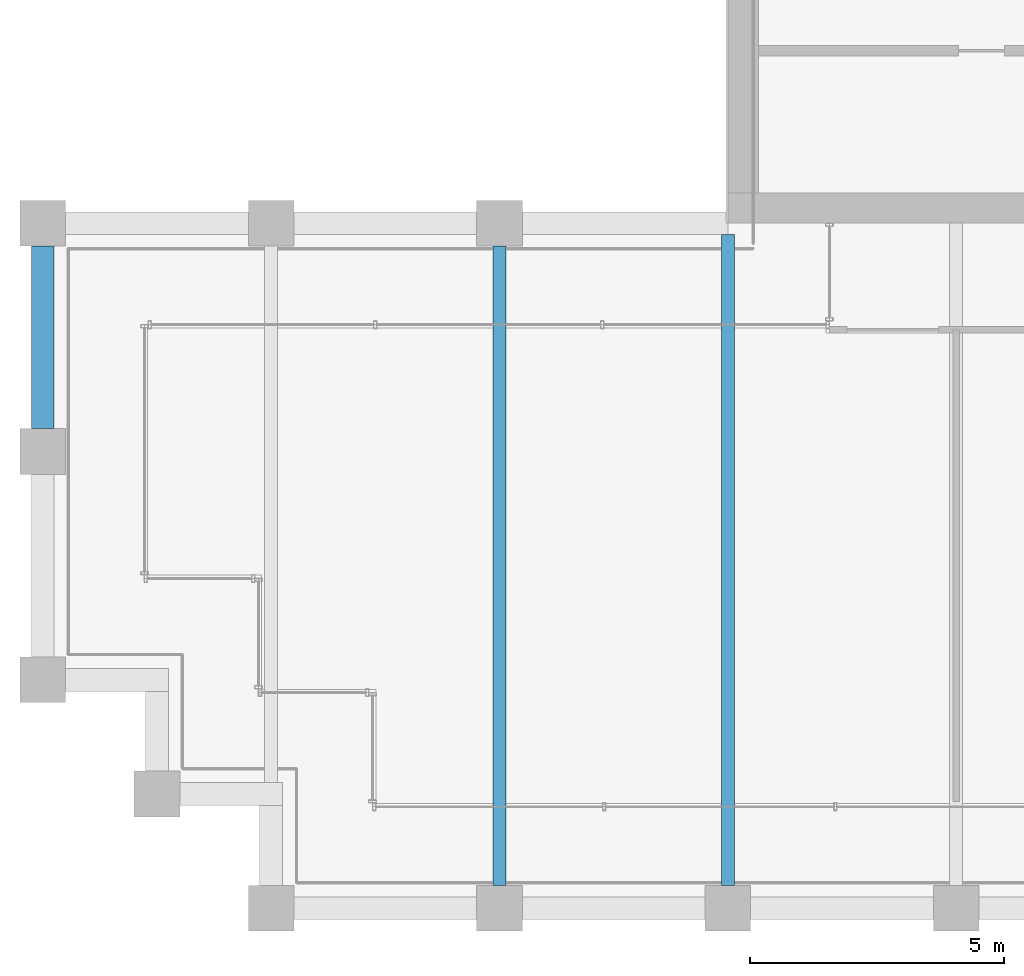
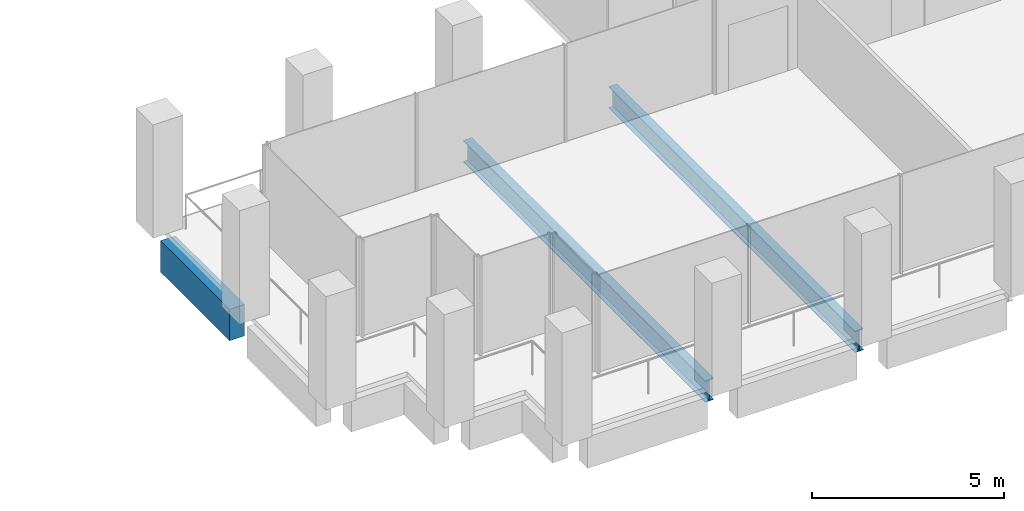
# One storey, part 4 of 40: 3 beams.
"""IFC4 building model written with IfcOpenShell, lengths in metres."""

from ifc_helpers import new_model, si_unit, direction, frame, origin, origin_2d, place, context, subcontext, project, spatial, rectangle, i_section, extrude, material, material_profile, profile_set, type_object, element, save


model = new_model("IFC4")

# Units and contexts
model_context = context("Model", 3, precision=1e-05, world=origin(), true_north=direction((0.0, 1.0)))
body_context = subcontext(model_context, "Body", "Model", "MODEL_VIEW")
ifc_project = project(units=[si_unit("LENGTHUNIT", "METRE"), si_unit("AREAUNIT", "SQUARE_METRE"), si_unit("VOLUMEUNIT", "CUBIC_METRE"), si_unit("PLANEANGLEUNIT", "RADIAN"), si_unit("MASSUNIT", "GRAM", prefix="KILO")], contexts=[model_context])

# Site, building, storey
site_placement = place(None, origin())
site = spatial("IfcSite", under=ifc_project, at=site_placement, CompositionType="ELEMENT")
building_placement = place(site_placement, origin())
building = spatial("IfcBuilding", under=site, at=building_placement, Name="Altepetl Exchange Towers", CompositionType="ELEMENT")
storey_placement = place(building_placement, frame((0.0, 0.0, 154.60009765625)))
storey = spatial("IfcBuildingStorey", under=building, at=storey_placement, Name="L38", CompositionType="ELEMENT", Elevation=154.60009765625)

# Beams
ifc_material_1 = material(Name="Steel S355", Category="steel")
ifc_material_profile_1 = material_profile(ifc_material_1, i_section(OverallWidth=0.25390625, OverallDepth=0.68408203125, WebThickness=0.012451171875, FlangeThickness=0.018798828125, at=origin_2d()), Name="W27X94")
ifc_profile_set_1 = profile_set([ifc_material_profile_1], Name="Steel S355")
beam_type_1 = type_object("IfcBeamType", Name="Floor beam W27X94", PredefinedType="BEAM", material=ifc_profile_set_1)
beam_1_placement = place(storey_placement, frame((36.0, 27.449951171875, -0.4921875), z_axis=(0.0, 1.0, 0.0), x_axis=(-1.0, 0.0, 0.0)))
element("IfcBeam", 1, at=beam_1_placement, inside=storey, type_object=beam_type_1, Name="bm:A:L38:013", PredefinedType="BEAM", context=body_context, shape_type="SweptSolid", body=[
    extrude(i_section(OverallWidth=0.25390625, OverallDepth=0.68408203125, WebThickness=0.012451171875, FlangeThickness=0.018798828125, at=origin_2d()), origin(), (0.0, 0.0, 1.0), 12.60009765625),
])
beam_2_placement = place(storey_placement, frame((40.5, 27.449951171875, -0.4921875), z_axis=(0.0, 1.0, 0.0), x_axis=(-1.0, 0.0, 0.0)))
element("IfcBeam", 2, at=beam_2_placement, inside=storey, type_object=beam_type_1, Name="bm:A:L38:014", PredefinedType="BEAM", context=body_context, shape_type="SweptSolid", body=[
    extrude(i_section(OverallWidth=0.25390625, OverallDepth=0.68408203125, WebThickness=0.012451171875, FlangeThickness=0.018798828125, at=origin_2d()), origin(), (0.0, 0.0, 1.0), 12.824951171875),
])
ifc_material_2 = material(Name="Concrete C50/60 precast with cantera blanca facing", Category="concrete")
ifc_material_profile_2 = material_profile(ifc_material_2, rectangle(XDim=0.449951171875, YDim=1.0, at=origin_2d()), Name="450 x 1000")
ifc_profile_set_2 = profile_set([ifc_material_profile_2], Name="Concrete C50/60 precast with cantera blanca facing")
beam_type_2 = type_object("IfcBeamType", Name="Spandrel beam 450x1000 cantera blanca", PredefinedType="SPANDREL", material=ifc_profile_set_2)
beam_3_placement = place(storey_placement, frame((27.0, 40.050048828125, -0.650146484375), z_axis=(0.0, -1.0, 0.0), x_axis=(1.0, 0.0, 0.0)))
element("IfcBeam", 3, at=beam_3_placement, inside=storey, type_object=beam_type_2, Name="sp:A:L38:036", PredefinedType="SPANDREL", context=body_context, shape_type="SweptSolid", body=[
    extrude(rectangle(XDim=0.449951171875, YDim=1.0, at=origin_2d()), origin(), (0.0, 0.0, 1.0), 3.60009765625),
])

save(model, "model.ifc")
